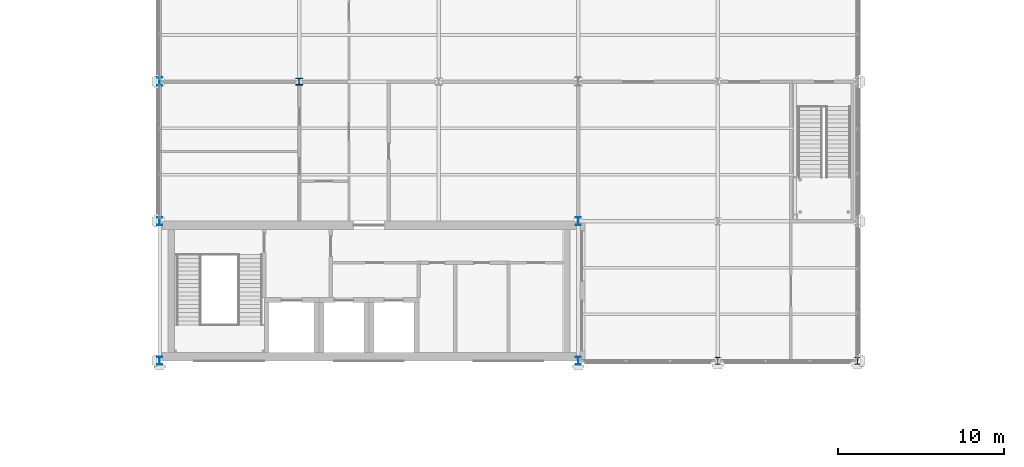
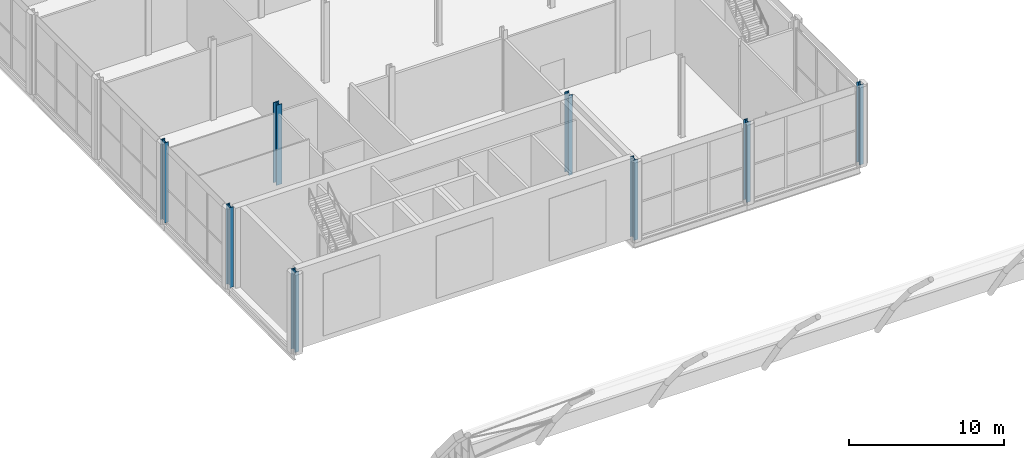
# One storey, part 1 of 77: 8 columns.
"""IFC4 building model written with IfcOpenShell, lengths in metres."""

import ifcopenshell
import ifcopenshell.guid

model = None  # the IFC model being written
_history = None  # IfcOwnerHistory: only IFC2X3 demands one
_inside = {}  # id of a spatial element -> (the spatial element, [elements in it])
_under = {}  # id of a project, library or spatial element -> (it, [spatial elements below it])
_declared = {}  # id of a project -> (the project, [libraries it declares])
_typed = {}  # id of a type object -> (the type object, [elements of that type])
_made_of = {}  # id of a material, layer set ... -> (it, [elements and type objects made of it])


def new_model(schema):
    """Start an empty IFC model of exactly this schema.

    Asked for "IFC4X3", IfcOpenShell would pick the latest addendum, in which some entities
    have other attributes; the version numbers below select the first issue.
    IFC2X3 requires an IfcOwnerHistory on every rooted entity: one is made here for all.
    """
    global model, _history
    if schema == "IFC4X3":
        model = ifcopenshell.file(schema_version=(4, 3, 0, 0))
    else:
        model = ifcopenshell.file(schema=schema)
    _inside.clear()
    _under.clear()
    _declared.clear()
    _typed.clear()
    _made_of.clear()
    _history = None
    if model.schema == "IFC2X3":
        org = make("IfcOrganization", Name="unknown")
        user = make(
            "IfcPersonAndOrganization",
            ThePerson=make("IfcPerson", FamilyName="unknown"),
            TheOrganization=org,
        )
        app = make(
            "IfcApplication",
            ApplicationDeveloper=org,
            Version="unknown",
            ApplicationFullName="unknown",
            ApplicationIdentifier="unknown",
        )
        _history = make(
            "IfcOwnerHistory",
            OwningUser=user,
            OwningApplication=app,
            ChangeAction="ADDED",
            CreationDate=0,
        )
    return model


def make(cls, **values):
    """One entity of the class cls with the attributes given. An attribute that is None is left unset."""
    return model.create_entity(
        cls, **{name: value for name, value in values.items() if value is not None}
    )


def rooted(cls, **values):
    """An entity with a GlobalId (a new one), such as an element, a storey or a relation."""
    return make(cls, GlobalId=ifcopenshell.guid.new(), OwnerHistory=_history, **values)


def si_unit(unit_type, name, prefix=None):
    """IfcSIUnit, for example si_unit("LENGTHUNIT", "METRE", prefix="MILLI")."""
    return make("IfcSIUnit", UnitType=unit_type, Prefix=prefix, Name=name)


def assignment(units):
    """IfcUnitAssignment: the units of a project."""
    return None if units is None else make("IfcUnitAssignment", Units=units)


def point(xyz):
    """IfcCartesianPoint."""
    return None if xyz is None else make("IfcCartesianPoint", Coordinates=xyz)


def direction(xyz):
    """IfcDirection."""
    return None if xyz is None else make("IfcDirection", DirectionRatios=xyz)


def frame(location, z_axis=None, x_axis=None):
    """IfcAxis2Placement3D, a coordinate frame: its origin and axes. An axis left out is left unset."""
    return make(
        "IfcAxis2Placement3D",
        Location=point(location),
        Axis=direction(z_axis),
        RefDirection=direction(x_axis),
    )


def frame_2d(location, x_axis=None):
    """IfcAxis2Placement2D, a coordinate frame in the plane: its origin and x axis."""
    return make(
        "IfcAxis2Placement2D", Location=point(location), RefDirection=direction(x_axis)
    )


def origin():
    """The frame at (0, 0, 0) with its axes left unset."""
    return frame((0.0, 0.0, 0.0))


def origin_2d():
    """The frame at (0, 0) in the plane with its x axis left unset."""
    return frame_2d((0.0, 0.0))


def place(relative_to, where):
    """IfcLocalPlacement: puts the frame where relative to a parent placement (None: the world)."""
    return make(
        "IfcLocalPlacement", PlacementRelTo=relative_to, RelativePlacement=where
    )


def context(
    kind, dimensions, precision=None, world=None, true_north=None, identifier=None
):
    """IfcGeometricRepresentationContext, for example the 3D "Model" context."""
    return make(
        "IfcGeometricRepresentationContext",
        ContextIdentifier=identifier,
        ContextType=kind,
        CoordinateSpaceDimension=dimensions,
        Precision=precision,
        WorldCoordinateSystem=world,
        TrueNorth=true_north,
    )


def subcontext(parent, identifier, kind, view, scale=None):
    """IfcGeometricRepresentationSubContext, for example "Body" below "Model"."""
    return make(
        "IfcGeometricRepresentationSubContext",
        ContextIdentifier=identifier,
        ContextType=kind,
        ParentContext=parent,
        TargetScale=scale,
        TargetView=view,
    )


def project(units=None, contexts=None):
    """IfcProject with its units and contexts."""
    return rooted(
        "IfcProject",
        Name="project",
        RepresentationContexts=contexts,
        UnitsInContext=assignment(units),
    )


def spatial(cls, under=None, at=None, **own):
    """A site, building, storey or space (cls), placed at a placement, below another one or the project."""
    s = rooted(cls, ObjectPlacement=at, **own)
    if under is not None:
        _under.setdefault(under.id(), (under, []))[1].append(s)
    return s


def profile(cls, at=None, kind="AREA", **sizes):
    """A parametric profile (cls). Its sizes go by their IFC names, for example OverallWidth=200.0."""
    return make(cls, ProfileType=kind, Position=at, **sizes)


def i_section(**sizes):
    """IfcIShapeProfileDef."""
    return profile("IfcIShapeProfileDef", **sizes)


def extrude(swept, where, along, depth):
    """IfcExtrudedAreaSolid: the profile swept, set in the frame where, extruded along a direction by depth."""
    return make(
        "IfcExtrudedAreaSolid",
        SweptArea=swept,
        Position=where,
        ExtrudedDirection=direction(along),
        Depth=depth,
    )


def shape(context_of_items, identifier, shape_type, items):
    """IfcShapeRepresentation: the items that make up one representation, for example the "Body"."""
    return make(
        "IfcShapeRepresentation",
        ContextOfItems=context_of_items,
        RepresentationIdentifier=identifier,
        RepresentationType=shape_type,
        Items=items,
    )


def material(Name=None, Category=None):
    """IfcMaterial."""
    return make("IfcMaterial", Name=Name, Category=Category)


def material_profile(
    of_material, cross_section, Name=None, Category=None, Priority=None
):
    """IfcMaterialProfile: a cross section and its material."""
    return make(
        "IfcMaterialProfile",
        Name=Name,
        Material=of_material,
        Profile=cross_section,
        Priority=Priority,
        Category=Category,
    )


def profile_set(profiles, Name=None, composite=None):
    """IfcMaterialProfileSet."""
    return make(
        "IfcMaterialProfileSet",
        Name=Name,
        MaterialProfiles=profiles,
        CompositeProfile=composite,
    )


def made_of(thing, what):
    """Note that an element or type object is made of a material, layer set ...; save() writes the relation."""
    if what is not None:
        _made_of.setdefault(what.id(), (what, []))[1].append(thing)
    return thing


def type_object(cls, material=None, **own):
    """A type object (cls), such as IfcWallType, which elements share."""
    return made_of(rooted(cls, **own), material)


def element(
    cls,
    number,
    at=None,
    inside=None,
    cuts=None,
    type_object=None,
    material=None,
    context=None,
    identifier="Body",
    shape_type=None,
    held_by="IfcProductDefinitionShape",
    body=None,
    shapes=None,
    **own,
):
    """One element of the class cls, such as IfcWall. Its Tag is "e" and its number.

    at: its placement. inside: the storey or other place that contains it. cuts: it is an
    opening in that element (IfcRelVoidsElement). A single representation is given by context,
    identifier, shape_type and body (its items); several are given by shapes. held_by: the class
    of the entity that holds the representations. save() writes the other relations.
    """
    e = rooted(cls, Tag="e%d" % number, ObjectPlacement=at, **own)
    if body is not None:
        shapes = [shape(context, identifier, shape_type, body)]
    if shapes is not None:
        e.Representation = make(held_by, Representations=shapes)
    if inside is not None:
        _inside.setdefault(inside.id(), (inside, []))[1].append(e)
    if cuts is not None:
        rooted(
            "IfcRelVoidsElement", RelatingBuildingElement=cuts, RelatedOpeningElement=e
        )
    if type_object is not None:
        _typed.setdefault(type_object.id(), (type_object, []))[1].append(e)
    return made_of(e, material)


def aggregate(whole, parts):
    """IfcRelAggregates: a whole, such as a stair, and the parts it consists of."""
    return rooted("IfcRelAggregates", RelatingObject=whole, RelatedObjects=parts)


def save(model, path):
    """Write the relations noted so far, then the file.

    IfcRelAggregates (storeys below a building ...), IfcRelContainedInSpatialStructure (elements
    in a storey), IfcRelDefinesByType, IfcRelAssociatesMaterial and IfcRelDeclares: one each for
    every whole, place, type object, material and project.
    """
    for whole, parts in _under.values():
        aggregate(whole, parts)
    for where, things in _inside.values():
        rooted(
            "IfcRelContainedInSpatialStructure",
            RelatedElements=things,
            RelatingStructure=where,
        )
    for kind, things in _typed.values():
        rooted("IfcRelDefinesByType", RelatedObjects=things, RelatingType=kind)
    for what, things in _made_of.values():
        rooted("IfcRelAssociatesMaterial", RelatedObjects=things, RelatingMaterial=what)
    for by, libraries in _declared.values():
        rooted("IfcRelDeclares", RelatingContext=by, RelatedDefinitions=libraries)
    model.write(path)


model = new_model("IFC4")

# Units and contexts
model_context = context("Model", 3, precision=1e-05, world=origin(), true_north=direction((0.0, 1.0)))
body_context = subcontext(model_context, "Body", "Model", "MODEL_VIEW")
ifc_project = project(units=[si_unit("LENGTHUNIT", "METRE"), si_unit("AREAUNIT", "SQUARE_METRE"), si_unit("VOLUMEUNIT", "CUBIC_METRE"), si_unit("PLANEANGLEUNIT", "RADIAN"), si_unit("MASSUNIT", "GRAM", prefix="KILO")], contexts=[model_context])

# Site, building, storey
site_placement = place(None, origin())
site = spatial("IfcSite", under=ifc_project, at=site_placement, CompositionType="ELEMENT")
building_placement = place(site_placement, origin())
building = spatial("IfcBuilding", under=site, at=building_placement, Name="Catenary Quay Ferry Terminal", CompositionType="ELEMENT")
storey_placement = place(building_placement, frame((0.0, 0.0, 10.800048828125)))
storey = spatial("IfcBuildingStorey", under=building, at=storey_placement, Name="L02", CompositionType="ELEMENT", Elevation=10.800048828125)

# Columns
ifc_material_1 = material(Name="Steel S355", Category="steel")
ifc_material_profile_1 = material_profile(ifc_material_1, i_section(OverallWidth=0.300048828125, OverallDepth=0.5, WebThickness=0.014404296875, FlangeThickness=0.028076171875, at=origin_2d()), Name="HEB 500")
ifc_profile_set_1 = profile_set([ifc_material_profile_1], Name="Steel S355")
column_type_1 = type_object("IfcColumnType", Name="C1 HEB 500", PredefinedType="COLUMN", material=ifc_profile_set_1)
for number, where, z_axis, x_axis, name in (
    (1, (25.199951171875, 159.60009765625, 0.0), (0.0, 0.0, 1.0), (1.0, 0.0, 0.0), "Column C-D20 L02"),
    (2, (25.199951171875, 168.0, 0.0), (0.0, 0.0, 1.0), (1.0, 0.0, 0.0), "Column C-D21 L02"),
    (3, (50.39990234375, 159.60009765625, 0.0), (0.0, 0.0, 1.0), (1.0, 0.0, 0.0), "Column C-G20 L02"),
    (4, (50.39990234375, 168.0, 0.0), (0.0, 0.0, 1.0), (1.0, 0.0, 0.0), "Column C-G21 L02"),
    (5, (25.199951171875, 176.39990234375, 0.0), (0.0, 0.0, 1.0), (1.0, 0.0, 0.0), "Column C-D22 L02"),
):
    element("IfcColumn", number, at=place(storey_placement, frame(where, z_axis=z_axis, x_axis=x_axis)), inside=storey, type_object=column_type_1, Name=name, PredefinedType="COLUMN", context=body_context, shape_type="SweptSolid", body=[
        extrude(i_section(OverallWidth=0.300048828125, OverallDepth=0.5, WebThickness=0.014404296875, FlangeThickness=0.028076171875, at=origin_2d()), origin(), (0.0, 0.0, 1.0), 6.300048828125),
    ])
ifc_material_2 = material(Name="Steel S355", Category="steel")
ifc_material_profile_2 = material_profile(ifc_material_2, i_section(OverallWidth=0.300048828125, OverallDepth=0.39990234375, WebThickness=0.013427734375, FlangeThickness=0.02392578125, at=origin_2d()), Name="HEB 400")
ifc_profile_set_2 = profile_set([ifc_material_profile_2], Name="Steel S355")
column_type_2 = type_object("IfcColumnType", Name="C2 HEB 400", PredefinedType="COLUMN", material=ifc_profile_set_2)
for number, where, z_axis, x_axis, name in (
    (6, (58.800048828125, 159.60009765625, 0.0), (0.0, 0.0, 1.0), (1.0, 0.0, 0.0), "Column C-H20 L02"),
    (7, (67.199951171875, 159.60009765625, 0.0), (0.0, 0.0, 1.0), (1.0, 0.0, 0.0), "Column C-I20 L02"),
):
    element("IfcColumn", number, at=place(storey_placement, frame(where, z_axis=z_axis, x_axis=x_axis)), inside=storey, type_object=column_type_2, Name=name, PredefinedType="COLUMN", context=body_context, shape_type="SweptSolid", body=[
        extrude(i_section(OverallWidth=0.300048828125, OverallDepth=0.39990234375, WebThickness=0.013427734375, FlangeThickness=0.02392578125, at=origin_2d()), origin(), (0.0, 0.0, 1.0), 6.300048828125),
    ])
ifc_material_3 = material(Name="Steel S355", Category="steel")
ifc_material_profile_3 = material_profile(ifc_material_3, i_section(OverallWidth=0.404052734375, OverallDepth=0.406982421875, WebThickness=0.027099609375, FlangeThickness=0.043701171875, at=origin_2d()), Name="HD 400x347")
ifc_profile_set_3 = profile_set([ifc_material_profile_3], Name="Steel S355")
column_type_3 = type_object("IfcColumnType", Name="C9 HD 400x347", PredefinedType="COLUMN", material=ifc_profile_set_3)
column_placement = place(storey_placement, frame((33.60009765625, 176.39990234375, 0.0), z_axis=(0.0, 0.0, 1.0), x_axis=(1.0, 0.0, 0.0)))
element("IfcColumn", 8, at=column_placement, inside=storey, type_object=column_type_3, Name="Column C-E22 L02", PredefinedType="COLUMN", context=body_context, shape_type="SweptSolid", body=[
    extrude(i_section(OverallWidth=0.404052734375, OverallDepth=0.406982421875, WebThickness=0.027099609375, FlangeThickness=0.043701171875, at=origin_2d()), origin(), (0.0, 0.0, 1.0), 6.300048828125),
])

save(model, "model.ifc")
